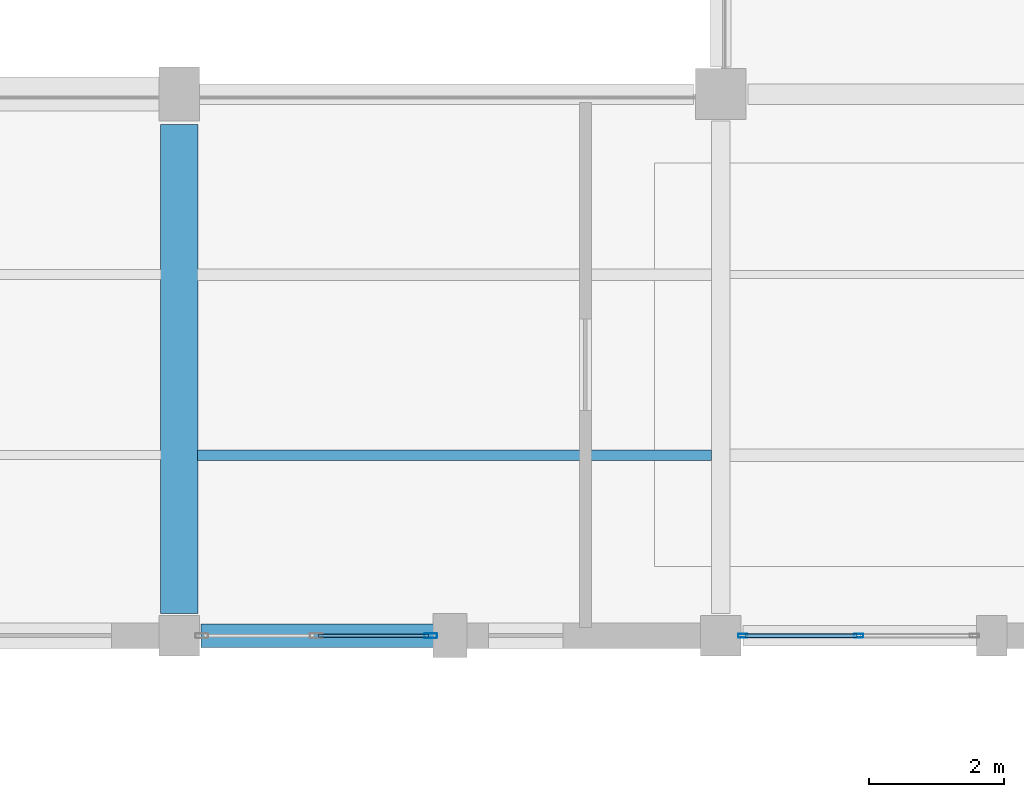
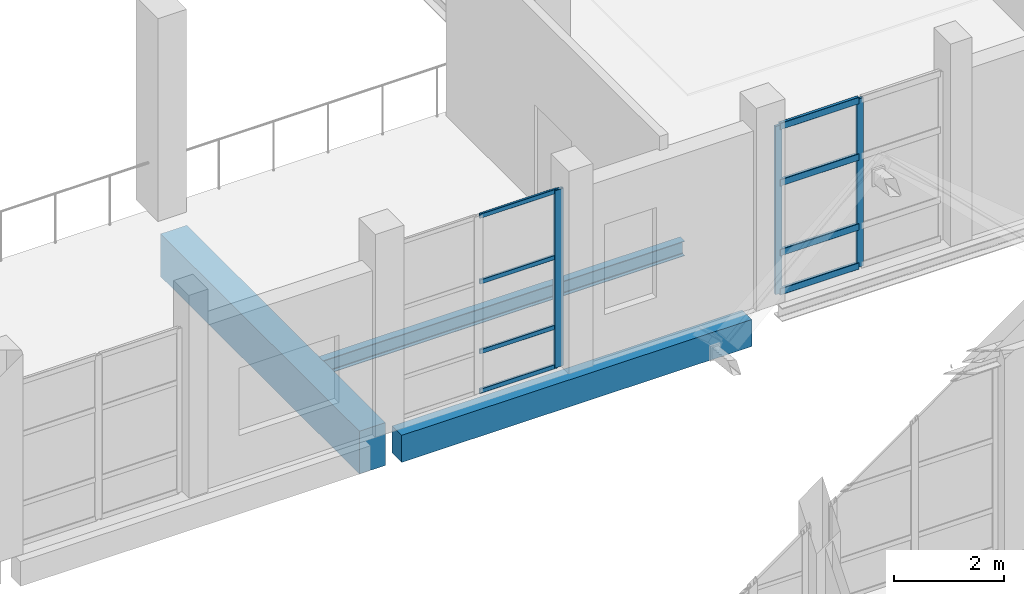
# One storey, part 96 of 183: 11 members, 3 beams, 2 elements without a shape of their own.
"""IFC4 building model written with IfcOpenShell, lengths in metres."""

from ifc_helpers import new_model, si_unit, direction, frame, origin, origin_2d, place, context, subcontext, project, spatial, rectangle, hollow_rectangle, i_section, extrude, material, material_profile, profile_set, type_object, element, aggregate, save


model = new_model("IFC4")

# Units and contexts
model_context = context("Model", 3, precision=1e-05, world=origin(), true_north=direction((0.0, 1.0)))
body_context = subcontext(model_context, "Body", "Model", "MODEL_VIEW")
ifc_project = project(units=[si_unit("LENGTHUNIT", "METRE"), si_unit("AREAUNIT", "SQUARE_METRE"), si_unit("VOLUMEUNIT", "CUBIC_METRE"), si_unit("PLANEANGLEUNIT", "RADIAN"), si_unit("MASSUNIT", "GRAM", prefix="KILO")], contexts=[model_context])

# Site, building, storey
site_placement = place(None, origin())
site = spatial("IfcSite", under=ifc_project, at=site_placement, CompositionType="ELEMENT")
building_placement = place(site_placement, origin())
building = spatial("IfcBuilding", under=site, at=building_placement, Name="Luwemba Playhouse", CompositionType="ELEMENT")
storey_placement = place(building_placement, frame((0.0, 0.0, 4.800048828125)))
storey = spatial("IfcBuildingStorey", under=building, at=storey_placement, Name="L01", CompositionType="ELEMENT", Elevation=4.800048828125)

# Beams
ifc_material_1 = material(Name="Concrete C40/50", Category="concrete")
ifc_material_profile_1 = material_profile(ifc_material_1, rectangle(XDim=0.550048828125, YDim=0.949951171875, at=origin_2d()))
ifc_profile_set_1 = profile_set([ifc_material_profile_1], Name="Concrete C40/50")
beam_type_1 = type_object("IfcBeamType", Name="BM-RB08", PredefinedType="BEAM", material=ifc_profile_set_1)
beam_1_placement = place(storey_placement, frame((148.0, 36.324951171875, -0.72509765625), z_axis=(0.0, 1.0, 0.0), x_axis=(-1.0, 0.0, 0.0)))
element("IfcBeam", 1, at=beam_1_placement, inside=storey, type_object=beam_type_1, Name="L01 transverse girder 0427", PredefinedType="BEAM", context=body_context, shape_type="SweptSolid", body=[
    extrude(rectangle(XDim=0.550048828125, YDim=0.949951171875, at=origin_2d()), origin(), (0.0, 0.0, 1.0), 7.22509765625),
])
ifc_material_2 = material(Name="Steel S355", Category="steel")
ifc_material_profile_2 = material_profile(ifc_material_2, i_section(OverallWidth=0.159912109375, OverallDepth=0.330078125, WebThickness=0.007568359375, FlangeThickness=0.011474609375, FilletRadius=0.01806640625, at=origin_2d()))
ifc_profile_set_2 = profile_set([ifc_material_profile_2], Name="Steel S355")
beam_type_2 = type_object("IfcBeamType", Name="BM-SJ06", PredefinedType="JOIST", material=ifc_profile_set_2)
beam_2_placement = place(storey_placement, frame((148.27099609375, 38.666748046875, -0.4150390625), z_axis=(1.0, 0.0, 0.0), x_axis=(0.0, 1.0, 0.0)))
element("IfcBeam", 2, at=beam_2_placement, inside=storey, type_object=beam_type_2, Name="L01 composite floor joist 0259", PredefinedType="JOIST", context=body_context, shape_type="SweptSolid", body=[
    extrude(i_section(OverallWidth=0.159912109375, OverallDepth=0.330078125, WebThickness=0.007568359375, FlangeThickness=0.011474609375, FilletRadius=0.01806640625, at=origin_2d()), origin(), (0.0, 0.0, 1.0), 7.593017578125),
])
ifc_material_profile_3 = material_profile(ifc_material_1, rectangle(XDim=0.35009765625, YDim=0.60009765625, at=origin_2d()))
ifc_profile_set_3 = profile_set([ifc_material_profile_3], Name="Concrete C40/50")
beam_type_3 = type_object("IfcBeamType", Name="BM-SP3", PredefinedType="SPANDREL", material=ifc_profile_set_3)
beam_3_placement = place(storey_placement, frame((148.324951171875, 36.0, -0.550048828125), z_axis=(1.0, 0.0, 0.0), x_axis=(0.0, 1.0, 0.0)))
element("IfcBeam", 3, at=beam_3_placement, inside=storey, type_object=beam_type_3, Name="L01 grid girder 0406", PredefinedType="SPANDREL", context=body_context, shape_type="SweptSolid", body=[
    extrude(rectangle(XDim=0.35009765625, YDim=0.60009765625, at=origin_2d()), origin(), (0.0, 0.0, 1.0), 7.35009765625),
])

# Curtain wall, members
ifc_material_3 = material(Name="Solar-control double glazing", Category="glass")
curtain_wall_type_1 = type_object("IfcCurtainWallType", Name="CW-CW76", PredefinedType="USERDEFINED", material=ifc_material_3)
curtain_wall_1_placement = place(storey_placement, origin())
curtain_wall_1 = element("IfcCurtainWall", 4, at=curtain_wall_1_placement, inside=storey, type_object=curtain_wall_type_1, Name="L01 V3 unitised curtain wall 108", ObjectType="UNITISED GLAZING", PredefinedType="USERDEFINED")
ifc_material_4 = material(Name="Aluminium 6063-T6", Category="aluminium")
ifc_material_profile_4 = material_profile(ifc_material_4, hollow_rectangle(XDim=0.054931640625, YDim=0.139892578125, WallThickness=0.00390625, InnerFilletRadius=0.006103515625, OuterFilletRadius=0.010009765625, at=origin_2d()))
ifc_profile_set_4 = profile_set([ifc_material_profile_4], Name="Aluminium 6063-T6")
member_type_1 = type_object("IfcMemberType", Name="CWM-M3", PredefinedType="MULLION", material=ifc_profile_set_4)
member_1_placement = place(storey_placement, frame((158.03759765625, 36.0, 0.0), z_axis=(0.0, 0.0, 1.0), x_axis=(0.0, -1.0, 0.0)))
member_1 = element("IfcMember", 5, at=member_1_placement, type_object=member_type_1, Name="CW76 mullion 2", PredefinedType="MULLION", context=body_context, shape_type="SweptSolid", body=[
    extrude(hollow_rectangle(XDim=0.054931640625, YDim=0.139892578125, WallThickness=0.00390625, InnerFilletRadius=0.006103515625, OuterFilletRadius=0.010009765625, at=origin_2d()), origin(), (0.0, 0.0, 1.0), 3.73486328125),
])
member_2_placement = place(storey_placement, frame((156.327392578125, 36.0, 0.0), z_axis=(0.0, 0.0, 1.0), x_axis=(0.0, -1.0, 0.0)))
member_2 = element("IfcMember", 6, at=member_2_placement, type_object=member_type_1, Name="CW76 mullion 3", PredefinedType="MULLION", context=body_context, shape_type="SweptSolid", body=[
    extrude(hollow_rectangle(XDim=0.054931640625, YDim=0.139892578125, WallThickness=0.00390625, InnerFilletRadius=0.006103515625, OuterFilletRadius=0.010009765625, at=origin_2d()), origin(), (0.0, 0.0, 1.0), 3.73486328125),
])

# Curtain wall, member
curtain_wall_type_2 = type_object("IfcCurtainWallType", Name="CW-CW63", PredefinedType="USERDEFINED", material=ifc_material_3)
curtain_wall_2_placement = place(storey_placement, origin())
curtain_wall_2 = element("IfcCurtainWall", 7, at=curtain_wall_2_placement, inside=storey, type_object=curtain_wall_type_2, Name="L01 V3 unitised curtain wall 109", ObjectType="UNITISED GLAZING", PredefinedType="USERDEFINED")
ifc_material_profile_5 = material_profile(ifc_material_4, hollow_rectangle(XDim=0.070068359375, YDim=0.18994140625, WallThickness=0.0048828125, InnerFilletRadius=0.007568359375, OuterFilletRadius=0.012451171875, at=origin_2d()))
ifc_profile_set_5 = profile_set([ifc_material_profile_5], Name="Aluminium 6063-T6")
member_type_2 = type_object("IfcMemberType", Name="CWM-M4", PredefinedType="MULLION", material=ifc_profile_set_5)
member_3_placement = place(storey_placement, frame((151.715087890625, 36.0, 0.0), z_axis=(0.0, 0.0, 1.0), x_axis=(0.0, -1.0, 0.0)))
member_3 = element("IfcMember", 8, at=member_3_placement, type_object=member_type_2, Name="CW63 mullion 1", PredefinedType="MULLION", context=body_context, shape_type="SweptSolid", body=[
    extrude(hollow_rectangle(XDim=0.070068359375, YDim=0.18994140625, WallThickness=0.0048828125, InnerFilletRadius=0.007568359375, OuterFilletRadius=0.012451171875, at=origin_2d()), origin(), (0.0, 0.0, 1.0), 3.93505859375),
])

# Member
ifc_material_profile_6 = material_profile(ifc_material_4, hollow_rectangle(XDim=0.06494140625, YDim=0.14990234375, WallThickness=0.00390625, InnerFilletRadius=0.006103515625, OuterFilletRadius=0.010009765625, at=origin_2d()))
ifc_profile_set_6 = profile_set([ifc_material_profile_6], Name="Aluminium 6063-T6")
member_type_3 = type_object("IfcMemberType", Name="CWT-T3", PredefinedType="USERDEFINED", material=ifc_profile_set_6)
member_4_placement = place(storey_placement, frame((158.010009765625, 36.0, 0.032470703125), z_axis=(-1.0, 0.0, 0.0), x_axis=(0.0, -1.0, 0.0)))
member_4 = element("IfcMember", 9, at=member_4_placement, type_object=member_type_3, Name="CW76 transom 2.1", ObjectType="TRANSOM", PredefinedType="USERDEFINED", context=body_context, shape_type="SweptSolid", body=[
    extrude(hollow_rectangle(XDim=0.06494140625, YDim=0.14990234375, WallThickness=0.00390625, InnerFilletRadius=0.006103515625, OuterFilletRadius=0.010009765625, at=origin_2d()), origin(), (0.0, 0.0, 1.0), 1.655029296875),
])

member_5_placement = place(storey_placement, frame((158.010009765625, 36.0, 0.89990234375), z_axis=(-1.0, 0.0, 0.0), x_axis=(0.0, -1.0, 0.0)))
member_5 = element("IfcMember", 10, at=member_5_placement, type_object=member_type_3, Name="CW76 transom 2.2", ObjectType="TRANSOM", PredefinedType="USERDEFINED", context=body_context, shape_type="SweptSolid", body=[
    extrude(hollow_rectangle(XDim=0.06494140625, YDim=0.14990234375, WallThickness=0.00390625, InnerFilletRadius=0.006103515625, OuterFilletRadius=0.010009765625, at=origin_2d()), origin(), (0.0, 0.0, 1.0), 1.655029296875),
])

member_6_placement = place(storey_placement, frame((158.010009765625, 36.0, 2.449951171875), z_axis=(-1.0, 0.0, 0.0), x_axis=(0.0, -1.0, 0.0)))
member_6 = element("IfcMember", 11, at=member_6_placement, type_object=member_type_3, Name="CW76 transom 2.3", ObjectType="TRANSOM", PredefinedType="USERDEFINED", context=body_context, shape_type="SweptSolid", body=[
    extrude(hollow_rectangle(XDim=0.06494140625, YDim=0.14990234375, WallThickness=0.00390625, InnerFilletRadius=0.006103515625, OuterFilletRadius=0.010009765625, at=origin_2d()), origin(), (0.0, 0.0, 1.0), 1.655029296875),
])

member_7_placement = place(storey_placement, frame((158.010009765625, 36.0, 3.702392578125), z_axis=(-1.0, 0.0, 0.0), x_axis=(0.0, -1.0, 0.0)))
member_7 = element("IfcMember", 12, at=member_7_placement, type_object=member_type_3, Name="CW76 transom 2.4", ObjectType="TRANSOM", PredefinedType="USERDEFINED", context=body_context, shape_type="SweptSolid", body=[
    extrude(hollow_rectangle(XDim=0.06494140625, YDim=0.14990234375, WallThickness=0.00390625, InnerFilletRadius=0.006103515625, OuterFilletRadius=0.010009765625, at=origin_2d()), origin(), (0.0, 0.0, 1.0), 1.655029296875),
])

aggregate(curtain_wall_1, [member_1, member_2, member_4, member_5, member_6, member_7])

ifc_material_profile_7 = material_profile(ifc_material_4, hollow_rectangle(XDim=0.050048828125, YDim=0.10009765625, WallThickness=0.00341796875, InnerFilletRadius=0.00537109375, OuterFilletRadius=0.0087890625, at=origin_2d()))
ifc_profile_set_7 = profile_set([ifc_material_profile_7], Name="Aluminium 6063-T6")
member_type_4 = type_object("IfcMemberType", Name="CWT-T4", PredefinedType="USERDEFINED", material=ifc_profile_set_7)
member_8_placement = place(storey_placement, frame((151.679931640625, 36.0, 0.02490234375), z_axis=(-1.0, 0.0, 0.0), x_axis=(0.0, -1.0, 0.0)))
member_8 = element("IfcMember", 13, at=member_8_placement, type_object=member_type_4, Name="CW63 transom 1.1", ObjectType="TRANSOM", PredefinedType="USERDEFINED", context=body_context, shape_type="SweptSolid", body=[
    extrude(hollow_rectangle(XDim=0.050048828125, YDim=0.10009765625, WallThickness=0.00341796875, InnerFilletRadius=0.00537109375, OuterFilletRadius=0.0087890625, at=origin_2d()), origin(), (0.0, 0.0, 1.0), 1.619873046875),
])

member_9_placement = place(storey_placement, frame((151.679931640625, 36.0, 0.89990234375), z_axis=(-1.0, 0.0, 0.0), x_axis=(0.0, -1.0, 0.0)))
member_9 = element("IfcMember", 14, at=member_9_placement, type_object=member_type_4, Name="CW63 transom 1.2", ObjectType="TRANSOM", PredefinedType="USERDEFINED", context=body_context, shape_type="SweptSolid", body=[
    extrude(hollow_rectangle(XDim=0.050048828125, YDim=0.10009765625, WallThickness=0.00341796875, InnerFilletRadius=0.00537109375, OuterFilletRadius=0.0087890625, at=origin_2d()), origin(), (0.0, 0.0, 1.0), 1.619873046875),
])

member_10_placement = place(storey_placement, frame((151.679931640625, 36.0, 2.449951171875), z_axis=(-1.0, 0.0, 0.0), x_axis=(0.0, -1.0, 0.0)))
member_10 = element("IfcMember", 15, at=member_10_placement, type_object=member_type_4, Name="CW63 transom 1.3", ObjectType="TRANSOM", PredefinedType="USERDEFINED", context=body_context, shape_type="SweptSolid", body=[
    extrude(hollow_rectangle(XDim=0.050048828125, YDim=0.10009765625, WallThickness=0.00341796875, InnerFilletRadius=0.00537109375, OuterFilletRadius=0.0087890625, at=origin_2d()), origin(), (0.0, 0.0, 1.0), 1.619873046875),
])

member_11_placement = place(storey_placement, frame((151.679931640625, 36.0, 3.909912109375), z_axis=(-1.0, 0.0, 0.0), x_axis=(0.0, -1.0, 0.0)))
member_11 = element("IfcMember", 16, at=member_11_placement, type_object=member_type_4, Name="CW63 transom 1.4", ObjectType="TRANSOM", PredefinedType="USERDEFINED", context=body_context, shape_type="SweptSolid", body=[
    extrude(hollow_rectangle(XDim=0.050048828125, YDim=0.10009765625, WallThickness=0.00341796875, InnerFilletRadius=0.00537109375, OuterFilletRadius=0.0087890625, at=origin_2d()), origin(), (0.0, 0.0, 1.0), 1.619873046875),
])

aggregate(curtain_wall_2, [member_3, member_8, member_9, member_10, member_11])

save(model, "model.ifc")
